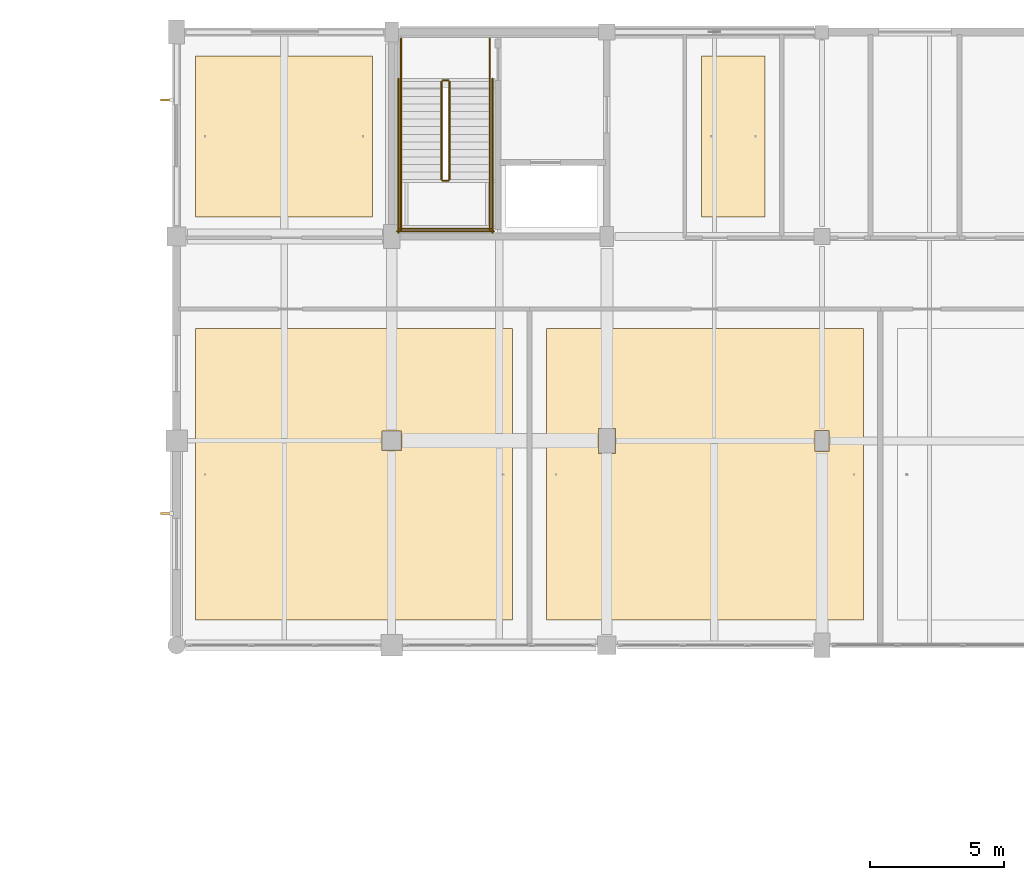
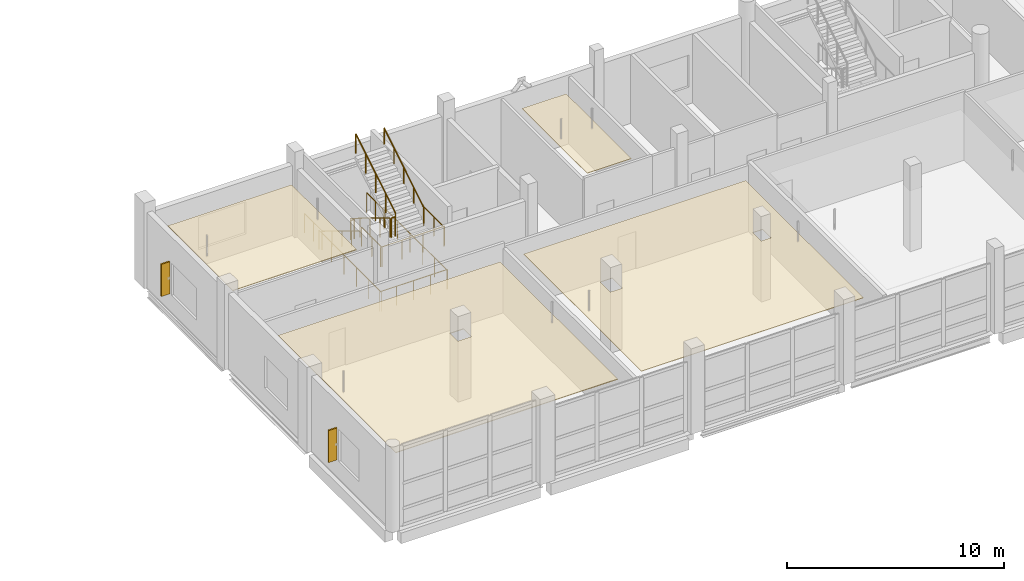
# One storey, part 45 of 46: 14 railings, 4 coverings, 2 shading devices.
"""IFC4 building model written with IfcOpenShell, lengths in metres."""

from ifc_helpers import new_model, si_unit, direction, frame, origin, origin_2d, place, context, subcontext, project, spatial, polyline, rectangle, circle, outline, extrude, material, layer, layer_set, type_object, element, save


model = new_model("IFC4")

# Units and contexts
model_context = context("Model", 3, precision=1e-05, world=origin(), true_north=direction((0.0, 1.0)))
body_context = subcontext(model_context, "Body", "Model", "MODEL_VIEW")
ifc_project = project(units=[si_unit("LENGTHUNIT", "METRE"), si_unit("AREAUNIT", "SQUARE_METRE"), si_unit("VOLUMEUNIT", "CUBIC_METRE"), si_unit("PLANEANGLEUNIT", "RADIAN"), si_unit("MASSUNIT", "GRAM", prefix="KILO")], contexts=[model_context])

# Site, building, storey
site_placement = place(None, origin())
site = spatial("IfcSite", under=ifc_project, at=site_placement, CompositionType="ELEMENT")
building_placement = place(site_placement, origin())
building = spatial("IfcBuilding", under=site, at=building_placement, Name="Khelvaren Railside Concert Hall", CompositionType="ELEMENT")
storey_placement = place(building_placement, frame((0.0, 0.0, 19.800048828125)))
storey = spatial("IfcBuildingStorey", under=building, at=storey_placement, Name="L04", CompositionType="ELEMENT", Elevation=19.800048828125)

# Coverings
ifc_material_1 = material(Name="Mineral-wool acoustic baffle ceiling", Category="gypsum")
ifc_layer_1 = layer(ifc_material_1, 0.0400390625)
ifc_layer_set_1 = layer_set([ifc_layer_1], Name="Mineral-wool acoustic baffle ceiling")
covering_type_1 = type_object("IfcCoveringType", Name="CLG20", PredefinedType="CEILING", material=ifc_layer_set_1)
covering_1_placement = place(storey_placement, frame((0.0, 0.0, 3.409912109375)))
element("IfcCovering", 1, at=covering_1_placement, inside=storey, type_object=covering_type_1, Name="Suspended Acoustic Ceiling Artistic Direction Boardroom", PredefinedType="CEILING", context=body_context, shape_type="SweptSolid", body=[
    extrude(outline(polyline([(136.7099609375, 92.1298828125), (148.4970703125, 92.1298828125), (148.4970703125, 102.969970703125), (136.7099609375, 102.969970703125), (136.7099609375, 92.1298828125)]), holes=[polyline([(143.635009765625, 98.43505859375), (144.364990234375, 98.43505859375), (144.364990234375, 99.1650390625), (143.635009765625, 99.1650390625), (143.635009765625, 98.43505859375)])]), origin(), (0.0, 0.0, 1.0), 0.0400390625),
])
covering_2_placement = place(storey_placement, frame((0.0, 0.0, 3.409912109375)))
element("IfcCovering", 2, at=covering_2_placement, inside=storey, type_object=covering_type_1, Name="Suspended Acoustic Ceiling Conservatory Faculty Study L04", PredefinedType="CEILING", context=body_context, shape_type="SweptSolid", body=[
    extrude(outline(polyline([(136.7099609375, 107.1298828125), (143.2900390625, 107.1298828125), (143.2900390625, 113.1201171875), (136.7099609375, 113.1201171875), (136.7099609375, 107.1298828125)])), origin(), (0.0, 0.0, 1.0), 0.0400390625),
])
ifc_material_2 = material(Name="Micro-perforated timber acoustic ceiling", Category="wood")
ifc_layer_2 = layer(ifc_material_2, 0.030029296875)
ifc_layer_set_2 = layer_set([ifc_layer_2], Name="Micro-perforated timber acoustic ceiling")
covering_type_2 = type_object("IfcCoveringType", Name="CLG77", PredefinedType="CEILING", material=ifc_layer_set_2)
covering_3_placement = place(storey_placement, frame((0.0, 0.0, 3.419921875)))
element("IfcCovering", 3, at=covering_3_placement, inside=storey, type_object=covering_type_2, Name="Suspended Acoustic Ceiling Concert Production and Touring Office", PredefinedType="CEILING", context=body_context, shape_type="SweptSolid", body=[
    extrude(outline(polyline([(149.757080078125, 92.1298828125), (161.5439453125, 92.1298828125), (161.5439453125, 102.969970703125), (149.757080078125, 102.969970703125), (149.757080078125, 92.1298828125)]), holes=[polyline([(151.68505859375, 98.3349609375), (152.31494140625, 98.3349609375), (152.31494140625, 99.264892578125), (151.68505859375, 99.264892578125), (151.68505859375, 98.3349609375)]), polyline([(159.735107421875, 98.409912109375), (160.264892578125, 98.409912109375), (160.264892578125, 99.18994140625), (159.735107421875, 99.18994140625), (159.735107421875, 98.409912109375)])]), origin(), (0.0, 0.0, 1.0), 0.030029296875),
])
covering_4_placement = place(storey_placement, frame((0.0, 0.0, 3.419921875)))
element("IfcCovering", 4, at=covering_4_placement, inside=storey, type_object=covering_type_2, Name="Suspended Acoustic Ceiling Backstage Linen Store L04", PredefinedType="CEILING", context=body_context, shape_type="SweptSolid", body=[
    extrude(outline(polyline([(155.530029296875, 107.1298828125), (157.8759765625, 107.1298828125), (157.8759765625, 113.1201171875), (155.530029296875, 113.1201171875), (155.530029296875, 107.1298828125)])), origin(), (0.0, 0.0, 1.0), 0.030029296875),
])

# Railings
ifc_material_3 = material(Name="Painted architectural steel", Category="steel")
railing_type_1 = type_object("IfcRailingType", Name="GRD86", PredefinedType="GUARDRAIL", material=ifc_material_3)
railing_1_placement = place(storey_placement, frame((145.85009765625, 112.159912109375, 0.17138671875)))
element("IfcRailing", 5, at=railing_1_placement, inside=storey, type_object=railing_type_1, Name="L04 ST-09 stair guard 1", PredefinedType="GUARDRAIL", context=body_context, shape_type="SweptSolid", body=[
    extrude(circle(Radius=0.02392578125, at=origin_2d()), frame((0.0, 0.0, 1.076171875), z_axis=(0.0, -0.852850264322, 0.5221555579), x_axis=(1.0, 0.0, 0.0)), (0.0, 0.0, 1.0), 4.267822265625),
    extrude(circle(Radius=0.02099609375, at=origin_2d()), origin(), (0.0, 0.0, 1.0), 1.052001953125),
    extrude(circle(Radius=0.02099609375, at=origin_2d()), frame((0.0, -0.909912109375, 0.55712890625)), (0.0, 0.0, 1.0), 1.052001953125),
    extrude(circle(Radius=0.02099609375, at=origin_2d()), frame((0.0, -1.81982421875, 1.1142578125)), (0.0, 0.0, 1.0), 1.052001953125),
    extrude(circle(Radius=0.02099609375, at=origin_2d()), frame((0.0, -2.72998046875, 1.67138671875)), (0.0, 0.0, 1.0), 1.052001953125),
    extrude(circle(Radius=0.02099609375, at=origin_2d()), frame((0.0, -3.639892578125, 2.228515625)), (0.0, 0.0, 1.0), 1.052001953125),
])
railing_2_placement = place(storey_placement, frame((145.89990234375, 108.469970703125, 2.39990234375)))
element("IfcRailing", 6, at=railing_2_placement, inside=storey, type_object=railing_type_1, Name="L04 ST-09 stair guard 2", PredefinedType="GUARDRAIL", context=body_context, shape_type="SweptSolid", body=[
    extrude(circle(Radius=0.02392578125, at=origin_2d()), frame((0.0, 0.0, 1.076171875), z_axis=(1.0, 0.0, 0.0), x_axis=(0.0, 1.0, 0.0)), (0.0, 0.0, 1.0), 0.2001953125),
    extrude(circle(Radius=0.02099609375, at=origin_2d()), origin(), (0.0, 0.0, 1.0), 1.052001953125),
    extrude(circle(Radius=0.02099609375, at=origin_2d()), frame((0.2001953125, 0.0, 0.0)), (0.0, 0.0, 1.0), 1.052001953125),
])
for number, where, name in (
    (7, (144.35009765625, 108.52001953125, 2.39990234375), "L04 ST-09 stair guard 3"),
    (8, (147.64990234375, 108.52001953125, 2.39990234375), "L04 ST-09 stair guard 4"),
):
    element("IfcRailing", number, at=place(storey_placement, frame(where)), inside=storey, type_object=railing_type_1, Name=name, PredefinedType="GUARDRAIL", context=body_context, shape_type="SweptSolid", body=[
        extrude(circle(Radius=0.02392578125, at=origin_2d()), frame((0.0, 0.0, 1.076171875), z_axis=(0.0, -1.0, 0.0), x_axis=(1.0, 0.0, 0.0)), (0.0, 0.0, 1.0), 1.880126953125),
        extrude(circle(Radius=0.02099609375, at=origin_2d()), origin(), (0.0, 0.0, 1.0), 1.052001953125),
        extrude(circle(Radius=0.02099609375, at=origin_2d()), frame((0.0, -0.93994140625, 0.0)), (0.0, 0.0, 1.0), 1.052001953125),
        extrude(circle(Radius=0.02099609375, at=origin_2d()), frame((0.0, -1.880126953125, 0.0)), (0.0, 0.0, 1.0), 1.052001953125),
    ])
railing_3_placement = place(storey_placement, frame((144.300048828125, 106.68994140625, 2.39990234375)))
element("IfcRailing", 9, at=railing_3_placement, inside=storey, type_object=railing_type_1, Name="L04 ST-09 stair guard 5", PredefinedType="GUARDRAIL", context=body_context, shape_type="SweptSolid", body=[
    extrude(circle(Radius=0.02392578125, at=origin_2d()), frame((0.0, 0.0, 1.076171875), z_axis=(1.0, 0.0, 0.0), x_axis=(0.0, 1.0, 0.0)), (0.0, 0.0, 1.0), 3.39990234375),
    extrude(circle(Radius=0.02099609375, at=origin_2d()), origin(), (0.0, 0.0, 1.0), 1.052001953125),
    extrude(circle(Radius=0.02099609375, at=origin_2d()), frame((1.13330078125, 0.0, 0.0)), (0.0, 0.0, 1.0), 1.052001953125),
    extrude(circle(Radius=0.02099609375, at=origin_2d()), frame((2.2666015625, 0.0, 0.0)), (0.0, 0.0, 1.0), 1.052001953125),
    extrude(circle(Radius=0.02099609375, at=origin_2d()), frame((3.39990234375, 0.0, 0.0)), (0.0, 0.0, 1.0), 1.052001953125),
])
railing_4_placement = place(storey_placement, frame((146.14990234375, 108.52001953125, 2.5712890625)))
element("IfcRailing", 10, at=railing_4_placement, inside=storey, type_object=railing_type_1, Name="L04 ST-09 stair guard 6", PredefinedType="GUARDRAIL", context=body_context, shape_type="SweptSolid", body=[
    extrude(circle(Radius=0.02392578125, at=origin_2d()), frame((0.0, 0.0, 1.076171875), z_axis=(0.0, 0.852824790078, 0.522197163366), x_axis=(-1.0, 0.0, 0.0)), (0.0, 0.0, 1.0), 4.26806640625),
    extrude(circle(Radius=0.02099609375, at=origin_2d()), origin(), (0.0, 0.0, 1.0), 1.052001953125),
    extrude(circle(Radius=0.02099609375, at=origin_2d()), frame((0.0, 0.909912109375, 0.55712890625)), (0.0, 0.0, 1.0), 1.052001953125),
    extrude(circle(Radius=0.02099609375, at=origin_2d()), frame((0.0, 1.81982421875, 1.1142578125)), (0.0, 0.0, 1.0), 1.052001953125),
    extrude(circle(Radius=0.02099609375, at=origin_2d()), frame((0.0, 2.72998046875, 1.671630859375)), (0.0, 0.0, 1.0), 1.052001953125),
    extrude(circle(Radius=0.02099609375, at=origin_2d()), frame((0.0, 3.639892578125, 2.228759765625)), (0.0, 0.0, 1.0), 1.052001953125),
])
railing_5_placement = place(storey_placement, frame((145.89990234375, 112.2099609375, 0.0)))
element("IfcRailing", 11, at=railing_5_placement, inside=storey, type_object=railing_type_1, Name="L04 ST-09 stair guard 7", PredefinedType="GUARDRAIL", context=body_context, shape_type="SweptSolid", body=[
    extrude(circle(Radius=0.02392578125, at=origin_2d()), frame((0.0, 0.0, 1.076171875), z_axis=(1.0, 0.0, 0.0), x_axis=(0.0, 1.0, 0.0)), (0.0, 0.0, 1.0), 0.2001953125),
    extrude(circle(Radius=0.02099609375, at=origin_2d()), origin(), (0.0, 0.0, 1.0), 1.052001953125),
    extrude(circle(Radius=0.02099609375, at=origin_2d()), frame((0.2001953125, 0.0, 0.0)), (0.0, 0.0, 1.0), 1.052001953125),
])
for number, where, name in (
    (12, (144.35009765625, 113.760009765625, 0.0), "L04 ST-09 stair guard 8"),
    (13, (147.64990234375, 113.760009765625, 0.0), "L04 ST-09 stair guard 9"),
):
    element("IfcRailing", number, at=place(storey_placement, frame(where)), inside=storey, type_object=railing_type_1, Name=name, PredefinedType="GUARDRAIL", context=body_context, shape_type="SweptSolid", body=[
        extrude(circle(Radius=0.02392578125, at=origin_2d()), frame((0.0, 0.0, 1.076171875), z_axis=(0.0, -1.0, 0.0), x_axis=(1.0, 0.0, 0.0)), (0.0, 0.0, 1.0), 1.60009765625),
        extrude(circle(Radius=0.02099609375, at=origin_2d()), origin(), (0.0, 0.0, 1.0), 1.052001953125),
        extrude(circle(Radius=0.02099609375, at=origin_2d()), frame((0.0, -0.800048828125, 0.0)), (0.0, 0.0, 1.0), 1.052001953125),
        extrude(circle(Radius=0.02099609375, at=origin_2d()), frame((0.0, -1.60009765625, 0.0)), (0.0, 0.0, 1.0), 1.052001953125),
    ])
for number, where, name in (
    (14, (144.25, 112.260009765625, 0.0), "L04 ST-09 stair guard 10"),
    (15, (147.75, 112.260009765625, 0.0), "L04 ST-09 stair guard 11"),
):
    element("IfcRailing", number, at=place(storey_placement, frame(where)), inside=storey, type_object=railing_type_1, Name=name, PredefinedType="GUARDRAIL", context=body_context, shape_type="SweptSolid", body=[
        extrude(circle(Radius=0.02392578125, at=origin_2d()), frame((0.0, 0.0, 1.076171875), z_axis=(0.0, -1.0, 0.0), x_axis=(1.0, 0.0, 0.0)), (0.0, 0.0, 1.0), 5.719970703125),
        extrude(circle(Radius=0.02099609375, at=origin_2d()), origin(), (0.0, 0.0, 1.0), 1.052001953125),
        extrude(circle(Radius=0.02099609375, at=origin_2d()), frame((0.0, -1.14404296875, 0.0)), (0.0, 0.0, 1.0), 1.052001953125),
        extrude(circle(Radius=0.02099609375, at=origin_2d()), frame((0.0, -2.2880859375, 0.0)), (0.0, 0.0, 1.0), 1.052001953125),
        extrude(circle(Radius=0.02099609375, at=origin_2d()), frame((0.0, -3.431884765625, 0.0)), (0.0, 0.0, 1.0), 1.052001953125),
        extrude(circle(Radius=0.02099609375, at=origin_2d()), frame((0.0, -4.575927734375, 0.0)), (0.0, 0.0, 1.0), 1.052001953125),
        extrude(circle(Radius=0.02099609375, at=origin_2d()), frame((0.0, -5.719970703125, 0.0)), (0.0, 0.0, 1.0), 1.052001953125),
    ])
railing_6_placement = place(storey_placement, frame((144.199951171875, 106.590087890625, 0.0)))
element("IfcRailing", 16, at=railing_6_placement, inside=storey, type_object=railing_type_1, Name="L04 ST-09 stair guard 12", PredefinedType="GUARDRAIL", context=body_context, shape_type="SweptSolid", body=[
    extrude(circle(Radius=0.02392578125, at=origin_2d()), frame((0.0, 0.0, 1.076171875), z_axis=(1.0, 0.0, 0.0), x_axis=(0.0, 1.0, 0.0)), (0.0, 0.0, 1.0), 3.60009765625),
    extrude(circle(Radius=0.02099609375, at=origin_2d()), origin(), (0.0, 0.0, 1.0), 1.052001953125),
    extrude(circle(Radius=0.02099609375, at=origin_2d()), frame((0.89990234375, 0.0, 0.0)), (0.0, 0.0, 1.0), 1.052001953125),
    extrude(circle(Radius=0.02099609375, at=origin_2d()), frame((1.800048828125, 0.0, 0.0)), (0.0, 0.0, 1.0), 1.052001953125),
    extrude(circle(Radius=0.02099609375, at=origin_2d()), frame((2.7001953125, 0.0, 0.0)), (0.0, 0.0, 1.0), 1.052001953125),
    extrude(circle(Radius=0.02099609375, at=origin_2d()), frame((3.60009765625, 0.0, 0.0)), (0.0, 0.0, 1.0), 1.052001953125),
])
ifc_material_4 = material(Name="Brushed stainless steel Grade 316", Category="steel")
railing_type_2 = type_object("IfcRailingType", Name="HRL59", PredefinedType="HANDRAIL", material=ifc_material_4)
railing_7_placement = place(storey_placement, frame((144.35009765625, 112.159912109375, 0.17138671875)))
element("IfcRailing", 17, at=railing_7_placement, inside=storey, type_object=railing_type_2, Name="L04 ST-09 stair handrail 1", PredefinedType="HANDRAIL", context=body_context, shape_type="SweptSolid", body=[
    extrude(circle(Radius=0.02392578125, at=origin_2d()), frame((0.0, 0.0, 0.8759765625), z_axis=(0.0, -0.852850264322, 0.5221555579), x_axis=(1.0, 0.0, 0.0)), (0.0, 0.0, 1.0), 4.267822265625),
    extrude(circle(Radius=0.02099609375, at=origin_2d()), origin(), (0.0, 0.0, 1.0), 0.851806640625),
    extrude(circle(Radius=0.02099609375, at=origin_2d()), frame((0.0, -0.909912109375, 0.55712890625)), (0.0, 0.0, 1.0), 0.851806640625),
    extrude(circle(Radius=0.02099609375, at=origin_2d()), frame((0.0, -1.81982421875, 1.1142578125)), (0.0, 0.0, 1.0), 0.851806640625),
    extrude(circle(Radius=0.02099609375, at=origin_2d()), frame((0.0, -2.72998046875, 1.67138671875)), (0.0, 0.0, 1.0), 0.851806640625),
    extrude(circle(Radius=0.02099609375, at=origin_2d()), frame((0.0, -3.639892578125, 2.228515625)), (0.0, 0.0, 1.0), 0.851806640625),
])
railing_8_placement = place(storey_placement, frame((147.64990234375, 108.52001953125, 2.5712890625)))
element("IfcRailing", 18, at=railing_8_placement, inside=storey, type_object=railing_type_2, Name="L04 ST-09 stair handrail 2", PredefinedType="HANDRAIL", context=body_context, shape_type="SweptSolid", body=[
    extrude(circle(Radius=0.02392578125, at=origin_2d()), frame((0.0, 0.0, 0.8759765625), z_axis=(0.0, 0.852824790078, 0.522197163366), x_axis=(-1.0, 0.0, 0.0)), (0.0, 0.0, 1.0), 4.26806640625),
    extrude(circle(Radius=0.02099609375, at=origin_2d()), origin(), (0.0, 0.0, 1.0), 0.851806640625),
    extrude(circle(Radius=0.02099609375, at=origin_2d()), frame((0.0, 0.909912109375, 0.55712890625)), (0.0, 0.0, 1.0), 0.851806640625),
    extrude(circle(Radius=0.02099609375, at=origin_2d()), frame((0.0, 1.81982421875, 1.1142578125)), (0.0, 0.0, 1.0), 0.851806640625),
    extrude(circle(Radius=0.02099609375, at=origin_2d()), frame((0.0, 2.72998046875, 1.671630859375)), (0.0, 0.0, 1.0), 0.851806640625),
    extrude(circle(Radius=0.02099609375, at=origin_2d()), frame((0.0, 3.639892578125, 2.228759765625)), (0.0, 0.0, 1.0), 0.851806640625),
])

# Shading devices
ifc_material_5 = material(Name="Anodised bronze aluminium 6063-T6", Category="aluminium")
shading_device_type = type_object("IfcShadingDeviceType", Name="SFN18", PredefinedType="USERDEFINED", material=ifc_material_5)
for number, where, z_axis, x_axis, name in (
    (19, (135.6298828125, 96.092529296875, 0.94970703125), (0.0, 0.0, 1.0), (0.0, 1.0, 0.0), "Bronze Solar Shading Fin EW-V5-L04-W-91"),
    (20, (135.6298828125, 111.47998046875, 0.94970703125), (0.0, 0.0, 1.0), (0.0, 1.0, 0.0), "Bronze Solar Shading Fin EW-V5-L04-W-106"),
):
    element("IfcShadingDevice", number, at=place(storey_placement, frame(where, z_axis=z_axis, x_axis=x_axis)), inside=storey, type_object=shading_device_type, Name=name, ObjectType="SOLAR FIN", PredefinedType="USERDEFINED", context=body_context, shape_type="SweptSolid", body=[
        extrude(rectangle(XDim=0.080078125, YDim=0.449951171875, at=origin_2d()), origin(), (0.0, 0.0, 1.0), 1.800048828125),
    ])

save(model, "model.ifc")
